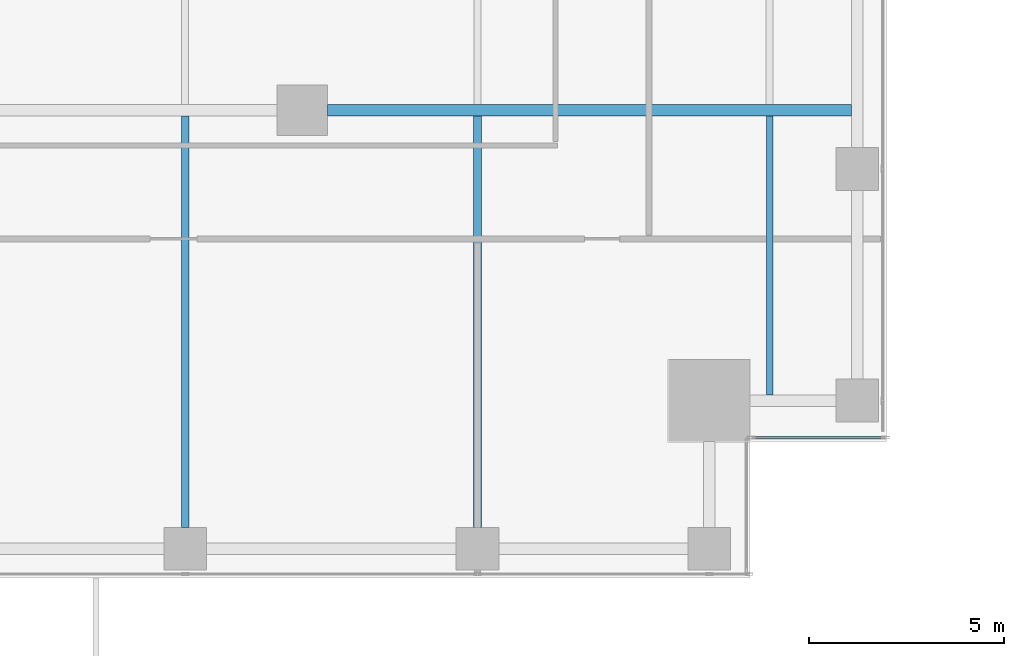
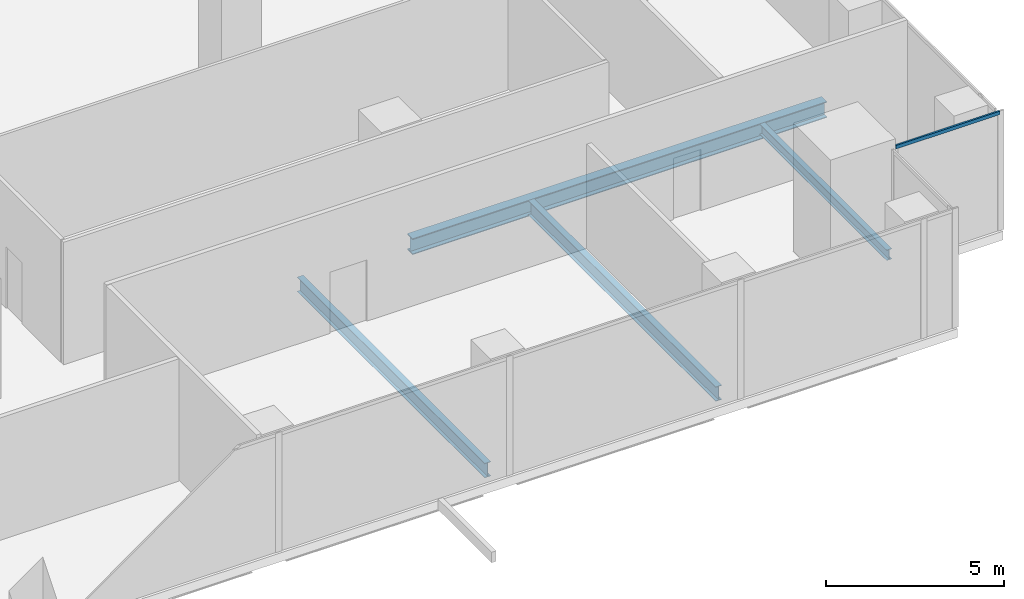
# One storey, part 10 of 34: 4 beams, 1 member, 1 element without a shape of its own.
"""IFC4 building model written with IfcOpenShell, lengths in metres."""

from ifc_helpers import new_model, si_unit, direction, frame, origin, origin_2d, place, context, subcontext, project, spatial, hollow_rectangle, i_section, extrude, source, transform, mapped, material, material_profile, profile_set, type_object, element, aggregate, save


model = new_model("IFC4")

# Units and contexts
model_context = context("Model", 3, precision=1e-05, world=origin(), true_north=direction((0.0, 1.0)))
body_context = subcontext(model_context, "Body", "Model", "MODEL_VIEW")
ifc_project = project(units=[si_unit("LENGTHUNIT", "METRE"), si_unit("AREAUNIT", "SQUARE_METRE"), si_unit("VOLUMEUNIT", "CUBIC_METRE"), si_unit("PLANEANGLEUNIT", "RADIAN"), si_unit("MASSUNIT", "GRAM", prefix="KILO")], contexts=[model_context])

# Site, building, storey
site_placement = place(None, origin())
site = spatial("IfcSite", under=ifc_project, at=site_placement, CompositionType="ELEMENT")
building_placement = place(site_placement, origin())
building = spatial("IfcBuilding", under=site, at=building_placement, Name="Khomas Fold Tower", CompositionType="ELEMENT")
storey_placement = place(building_placement, frame((0.0, 0.0, 145.5)))
storey = spatial("IfcBuildingStorey", under=building, at=storey_placement, Name="L31", CompositionType="ELEMENT", Elevation=145.5)

# Beams
ifc_material_1 = material(Name="Steel S355", Category="steel")
ifc_material_profile_1 = material_profile(ifc_material_1, i_section(OverallWidth=0.169921875, OverallDepth=0.360107421875, WebThickness=0.008056640625, FlangeThickness=0.0126953125, at=origin_2d()), Name="IPE 360")
ifc_profile_set_1 = profile_set([ifc_material_profile_1], Name="Steel S355")
beam_type_1 = type_object("IfcBeamType", Name="IPE 360 beam JB2", PredefinedType="BEAM", material=ifc_profile_set_1)
shared_shape_1 = source(origin(), body_context, "Body", "SweptSolid", [
    extrude(i_section(OverallWidth=0.169921875, OverallDepth=0.360107421875, WebThickness=0.008056640625, FlangeThickness=0.0126953125, at=origin_2d()), origin(), (0.0, 0.0, 1.0), 7.150146484375),
])
beam_1_placement = place(storey_placement, frame((49.5, 6.199951171875, -0.47998046875), z_axis=(0.0, 1.0, 0.0), x_axis=(-1.0, 0.0, 0.0)))
element("IfcBeam", 1, at=beam_1_placement, inside=storey, type_object=beam_type_1, Name="JB2", PredefinedType="BEAM", context=body_context, shape_type="MappedRepresentation", body=[
    mapped(shared_shape_1, transform((0.0, 0.0, 0.0))),
])
ifc_material_2 = material(Name="Steel S355", Category="steel")
ifc_material_profile_2 = material_profile(ifc_material_2, i_section(OverallWidth=0.300048828125, OverallDepth=0.550048828125, WebThickness=0.014892578125, FlangeThickness=0.029052734375, at=origin_2d()), Name="HE 550 B")
ifc_profile_set_2 = profile_set([ifc_material_profile_2], Name="Steel S355")
beam_type_2 = type_object("IfcBeamType", Name="HE 550 B beam GB4", PredefinedType="BEAM", material=ifc_profile_set_2)
shared_shape_2 = source(origin(), body_context, "Body", "SweptSolid", [
    extrude(i_section(OverallWidth=0.300048828125, OverallDepth=0.550048828125, WebThickness=0.014892578125, FlangeThickness=0.029052734375, at=origin_2d()), origin(), (0.0, 0.0, 1.0), 13.4501953125),
])
beam_2_placement = place(storey_placement, frame((38.14990234375, 13.5, -0.574951171875), z_axis=(1.0, 0.0, 0.0), x_axis=(0.0, 1.0, 0.0)))
element("IfcBeam", 2, at=beam_2_placement, inside=storey, type_object=beam_type_2, Name="GB4", PredefinedType="BEAM", context=body_context, shape_type="MappedRepresentation", body=[
    mapped(shared_shape_2, transform((0.0, 0.0, 0.0))),
])
ifc_material_3 = material(Name="Steel S355", Category="steel")
ifc_material_profile_3 = material_profile(ifc_material_3, i_section(OverallWidth=0.199951171875, OverallDepth=0.5, WebThickness=0.01025390625, FlangeThickness=0.01611328125, at=origin_2d()), Name="IPE 500")
ifc_profile_set_3 = profile_set([ifc_material_profile_3], Name="Steel S355")
beam_type_3 = type_object("IfcBeamType", Name="IPE 500 beam JB5", PredefinedType="BEAM", material=ifc_profile_set_3)
shared_shape_3 = source(origin(), body_context, "Body", "SweptSolid", [
    extrude(i_section(OverallWidth=0.199951171875, OverallDepth=0.5, WebThickness=0.01025390625, FlangeThickness=0.01611328125, at=origin_2d()), origin(), (0.0, 0.0, 1.0), 10.550048828125),
])
for number, where, z_axis, x_axis, name in (
    (3, (34.5, 2.800048828125, -0.550048828125), (0.0, 1.0, 0.0), (-1.0, 0.0, 0.0), "JB5"),
    (4, (42.0, 2.800048828125, -0.550048828125), (0.0, 1.0, 0.0), (-1.0, 0.0, 0.0), "JB5"),
):
    element("IfcBeam", number, at=place(storey_placement, frame(where, z_axis=z_axis, x_axis=x_axis)), inside=storey, type_object=beam_type_3, Name=name, PredefinedType="BEAM", context=body_context, shape_type="MappedRepresentation", body=[
        mapped(shared_shape_3, transform((0.0, 0.0, 0.0))),
    ])

# Curtain wall, member
ifc_material_4 = material(Name="Aluminium framed double glazing", Category="aluminium")
curtain_wall_type = type_object("IfcCurtainWallType", Name="SK-Unitised clear-glass wall, growing floors CW1", PredefinedType="NOTDEFINED", material=ifc_material_4)
curtain_wall_placement = place(storey_placement, origin())
curtain_wall = element("IfcCurtainWall", 5, at=curtain_wall_placement, inside=storey, type_object=curtain_wall_type, Name="CW1 corner return L31 02", PredefinedType="NOTDEFINED")
ifc_material_5 = material(Name="Aluminium", Category="aluminium")
ifc_material_profile_4 = material_profile(ifc_material_5, hollow_rectangle(XDim=0.06005859375, YDim=0.1201171875, WallThickness=0.00390625, at=origin_2d()), Name="SK-Unitised clear-glass wall, growing floors transom CW1-T")
ifc_profile_set_4 = profile_set([ifc_material_profile_4], Name="Aluminium")
member_type = type_object("IfcMemberType", Name="SK-Unitised clear-glass wall, growing floors transom CW1-T", PredefinedType="USERDEFINED", material=ifc_profile_set_4)
shared_shape_4 = source(origin(), body_context, "Body", "SweptSolid", [
    extrude(hollow_rectangle(XDim=0.06005859375, YDim=0.1201171875, WallThickness=0.00390625, at=origin_2d()), origin(), (0.0, 0.0, 1.0), 3.3798828125),
])
member_placement = place(storey_placement, frame((49.06005859375, 5.10009765625, 4.0400390625), z_axis=(1.0, 0.0, 0.0), x_axis=(0.0, 1.0, 0.0)))
member = element("IfcMember", 6, at=member_placement, type_object=member_type, Name="CW1 transom 1", ObjectType="TRANSOM", PredefinedType="USERDEFINED", context=body_context, shape_type="MappedRepresentation", body=[
    mapped(shared_shape_4, transform((0.0, 0.0, 0.0))),
])
aggregate(curtain_wall, [member])

save(model, "model.ifc")
